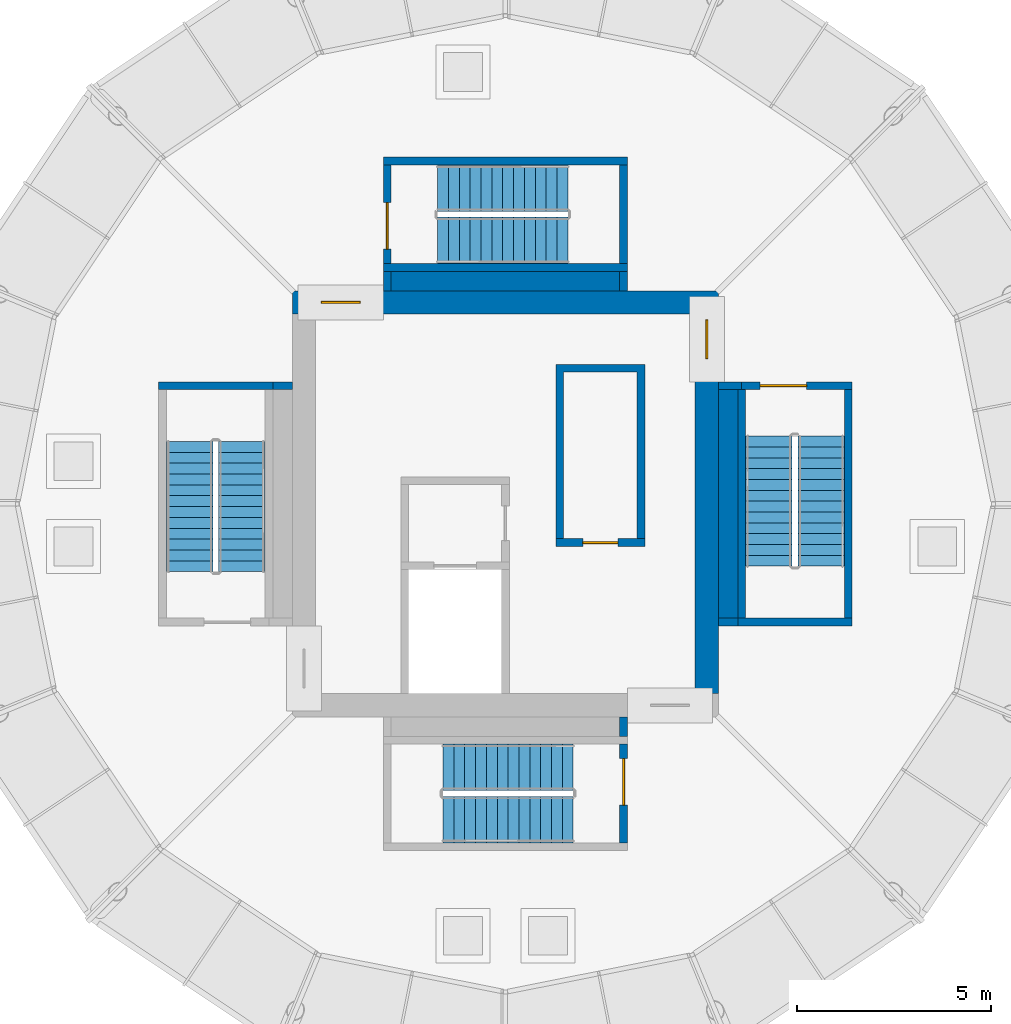
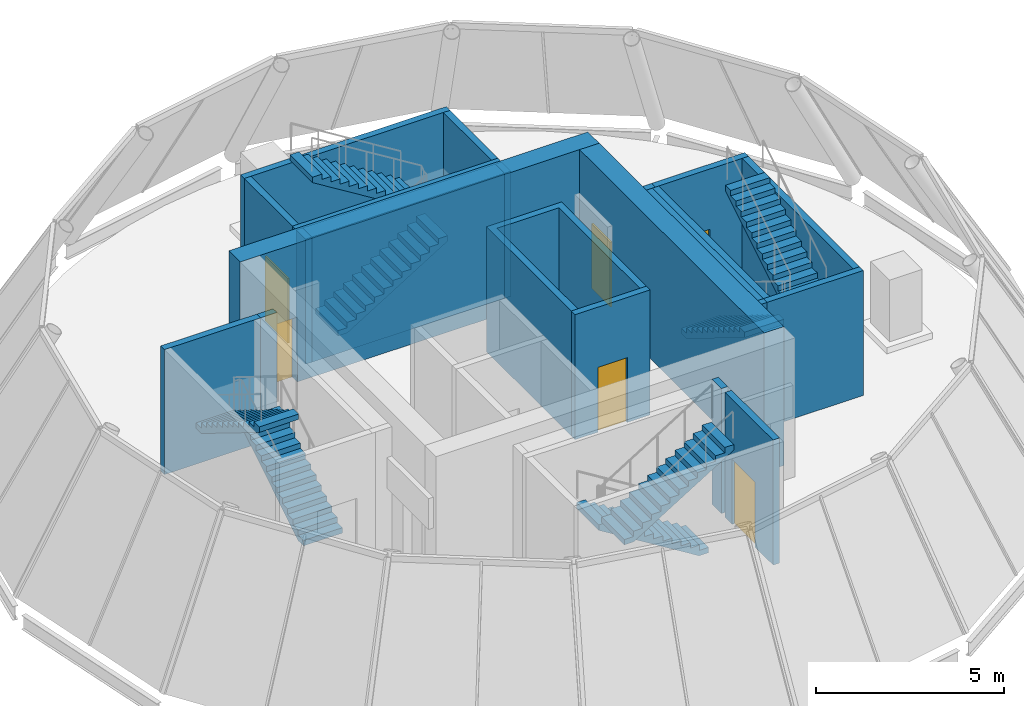
# One storey, part 4 of 6: 22 walls, 8 stair flights, 6 doors, 6 openings, 4 elements without a shape of their own.
"""IFC4 building model written with IfcOpenShell, lengths in metres."""

import ifcopenshell
import ifcopenshell.guid

model = None  # the IFC model being written
_history = None  # IfcOwnerHistory: only IFC2X3 demands one
_inside = {}  # id of a spatial element -> (the spatial element, [elements in it])
_under = {}  # id of a project, library or spatial element -> (it, [spatial elements below it])
_declared = {}  # id of a project -> (the project, [libraries it declares])
_typed = {}  # id of a type object -> (the type object, [elements of that type])
_made_of = {}  # id of a material, layer set ... -> (it, [elements and type objects made of it])


def new_model(schema):
    """Start an empty IFC model of exactly this schema.

    Asked for "IFC4X3", IfcOpenShell would pick the latest addendum, in which some entities
    have other attributes; the version numbers below select the first issue.
    IFC2X3 requires an IfcOwnerHistory on every rooted entity: one is made here for all.
    """
    global model, _history
    if schema == "IFC4X3":
        model = ifcopenshell.file(schema_version=(4, 3, 0, 0))
    else:
        model = ifcopenshell.file(schema=schema)
    _inside.clear()
    _under.clear()
    _declared.clear()
    _typed.clear()
    _made_of.clear()
    _history = None
    if model.schema == "IFC2X3":
        org = make("IfcOrganization", Name="unknown")
        user = make(
            "IfcPersonAndOrganization",
            ThePerson=make("IfcPerson", FamilyName="unknown"),
            TheOrganization=org,
        )
        app = make(
            "IfcApplication",
            ApplicationDeveloper=org,
            Version="unknown",
            ApplicationFullName="unknown",
            ApplicationIdentifier="unknown",
        )
        _history = make(
            "IfcOwnerHistory",
            OwningUser=user,
            OwningApplication=app,
            ChangeAction="ADDED",
            CreationDate=0,
        )
    return model


def make(cls, **values):
    """One entity of the class cls with the attributes given. An attribute that is None is left unset."""
    return model.create_entity(
        cls, **{name: value for name, value in values.items() if value is not None}
    )


def rooted(cls, **values):
    """An entity with a GlobalId (a new one), such as an element, a storey or a relation."""
    return make(cls, GlobalId=ifcopenshell.guid.new(), OwnerHistory=_history, **values)


def si_unit(unit_type, name, prefix=None):
    """IfcSIUnit, for example si_unit("LENGTHUNIT", "METRE", prefix="MILLI")."""
    return make("IfcSIUnit", UnitType=unit_type, Prefix=prefix, Name=name)


def assignment(units):
    """IfcUnitAssignment: the units of a project."""
    return None if units is None else make("IfcUnitAssignment", Units=units)


def point(xyz):
    """IfcCartesianPoint."""
    return None if xyz is None else make("IfcCartesianPoint", Coordinates=xyz)


def direction(xyz):
    """IfcDirection."""
    return None if xyz is None else make("IfcDirection", DirectionRatios=xyz)


def frame(location, z_axis=None, x_axis=None):
    """IfcAxis2Placement3D, a coordinate frame: its origin and axes. An axis left out is left unset."""
    return make(
        "IfcAxis2Placement3D",
        Location=point(location),
        Axis=direction(z_axis),
        RefDirection=direction(x_axis),
    )


def frame_2d(location, x_axis=None):
    """IfcAxis2Placement2D, a coordinate frame in the plane: its origin and x axis."""
    return make(
        "IfcAxis2Placement2D", Location=point(location), RefDirection=direction(x_axis)
    )


def origin():
    """The frame at (0, 0, 0) with its axes left unset."""
    return frame((0.0, 0.0, 0.0))


def place(relative_to, where):
    """IfcLocalPlacement: puts the frame where relative to a parent placement (None: the world)."""
    return make(
        "IfcLocalPlacement", PlacementRelTo=relative_to, RelativePlacement=where
    )


def context(
    kind, dimensions, precision=None, world=None, true_north=None, identifier=None
):
    """IfcGeometricRepresentationContext, for example the 3D "Model" context."""
    return make(
        "IfcGeometricRepresentationContext",
        ContextIdentifier=identifier,
        ContextType=kind,
        CoordinateSpaceDimension=dimensions,
        Precision=precision,
        WorldCoordinateSystem=world,
        TrueNorth=true_north,
    )


def subcontext(parent, identifier, kind, view, scale=None):
    """IfcGeometricRepresentationSubContext, for example "Body" below "Model"."""
    return make(
        "IfcGeometricRepresentationSubContext",
        ContextIdentifier=identifier,
        ContextType=kind,
        ParentContext=parent,
        TargetScale=scale,
        TargetView=view,
    )


def project(units=None, contexts=None):
    """IfcProject with its units and contexts."""
    return rooted(
        "IfcProject",
        Name="project",
        RepresentationContexts=contexts,
        UnitsInContext=assignment(units),
    )


def spatial(cls, under=None, at=None, **own):
    """A site, building, storey or space (cls), placed at a placement, below another one or the project."""
    s = rooted(cls, ObjectPlacement=at, **own)
    if under is not None:
        _under.setdefault(under.id(), (under, []))[1].append(s)
    return s


def polyline(points):
    """IfcPolyline through the points."""
    return make("IfcPolyline", Points=[point(p) for p in points])


def profile(cls, at=None, kind="AREA", **sizes):
    """A parametric profile (cls). Its sizes go by their IFC names, for example OverallWidth=200.0."""
    return make(cls, ProfileType=kind, Position=at, **sizes)


def rectangle(**sizes):
    """IfcRectangleProfileDef."""
    return profile("IfcRectangleProfileDef", **sizes)


def outline(outer, holes=None, kind="AREA"):
    """IfcArbitraryClosedProfileDef: a profile drawn as a closed curve; with holes, ...WithVoids."""
    if holes is None:
        return make("IfcArbitraryClosedProfileDef", ProfileType=kind, OuterCurve=outer)
    return make(
        "IfcArbitraryProfileDefWithVoids",
        ProfileType=kind,
        OuterCurve=outer,
        InnerCurves=holes,
    )


def extrude(swept, where, along, depth):
    """IfcExtrudedAreaSolid: the profile swept, set in the frame where, extruded along a direction by depth."""
    return make(
        "IfcExtrudedAreaSolid",
        SweptArea=swept,
        Position=where,
        ExtrudedDirection=direction(along),
        Depth=depth,
    )


def shape(context_of_items, identifier, shape_type, items):
    """IfcShapeRepresentation: the items that make up one representation, for example the "Body"."""
    return make(
        "IfcShapeRepresentation",
        ContextOfItems=context_of_items,
        RepresentationIdentifier=identifier,
        RepresentationType=shape_type,
        Items=items,
    )


def material(Name=None, Category=None):
    """IfcMaterial."""
    return make("IfcMaterial", Name=Name, Category=Category)


def layer(
    of_material, thickness, ventilated=None, Name=None, Category=None, Priority=None
):
    """IfcMaterialLayer: one layer of a wall or slab, of a material (None: an air gap)."""
    return make(
        "IfcMaterialLayer",
        Material=of_material,
        LayerThickness=thickness,
        IsVentilated=ventilated,
        Name=Name,
        Category=Category,
        Priority=Priority,
    )


def layer_set(layers, Name=None):
    """IfcMaterialLayerSet."""
    return make("IfcMaterialLayerSet", MaterialLayers=layers, LayerSetName=Name)


def made_of(thing, what):
    """Note that an element or type object is made of a material, layer set ...; save() writes the relation."""
    if what is not None:
        _made_of.setdefault(what.id(), (what, []))[1].append(thing)
    return thing


def type_object(cls, material=None, **own):
    """A type object (cls), such as IfcWallType, which elements share."""
    return made_of(rooted(cls, **own), material)


def element(
    cls,
    number,
    at=None,
    inside=None,
    cuts=None,
    type_object=None,
    material=None,
    context=None,
    identifier="Body",
    shape_type=None,
    held_by="IfcProductDefinitionShape",
    body=None,
    shapes=None,
    **own,
):
    """One element of the class cls, such as IfcWall. Its Tag is "e" and its number.

    at: its placement. inside: the storey or other place that contains it. cuts: it is an
    opening in that element (IfcRelVoidsElement). A single representation is given by context,
    identifier, shape_type and body (its items); several are given by shapes. held_by: the class
    of the entity that holds the representations. save() writes the other relations.
    """
    e = rooted(cls, Tag="e%d" % number, ObjectPlacement=at, **own)
    if body is not None:
        shapes = [shape(context, identifier, shape_type, body)]
    if shapes is not None:
        e.Representation = make(held_by, Representations=shapes)
    if inside is not None:
        _inside.setdefault(inside.id(), (inside, []))[1].append(e)
    if cuts is not None:
        rooted(
            "IfcRelVoidsElement", RelatingBuildingElement=cuts, RelatedOpeningElement=e
        )
    if type_object is not None:
        _typed.setdefault(type_object.id(), (type_object, []))[1].append(e)
    return made_of(e, material)


def fill(opening, filler):
    """IfcRelFillsElement: the door or window that sits in an opening."""
    return rooted(
        "IfcRelFillsElement",
        RelatingOpeningElement=opening,
        RelatedBuildingElement=filler,
    )


def aggregate(whole, parts):
    """IfcRelAggregates: a whole, such as a stair, and the parts it consists of."""
    return rooted("IfcRelAggregates", RelatingObject=whole, RelatedObjects=parts)


def save(model, path):
    """Write the relations noted so far, then the file.

    IfcRelAggregates (storeys below a building ...), IfcRelContainedInSpatialStructure (elements
    in a storey), IfcRelDefinesByType, IfcRelAssociatesMaterial and IfcRelDeclares: one each for
    every whole, place, type object, material and project.
    """
    for whole, parts in _under.values():
        aggregate(whole, parts)
    for where, things in _inside.values():
        rooted(
            "IfcRelContainedInSpatialStructure",
            RelatedElements=things,
            RelatingStructure=where,
        )
    for kind, things in _typed.values():
        rooted("IfcRelDefinesByType", RelatedObjects=things, RelatingType=kind)
    for what, things in _made_of.values():
        rooted("IfcRelAssociatesMaterial", RelatedObjects=things, RelatingMaterial=what)
    for by, libraries in _declared.values():
        rooted("IfcRelDeclares", RelatingContext=by, RelatedDefinitions=libraries)
    model.write(path)


model = new_model("IFC4")

# Units and contexts
model_context = context("Model", 3, precision=1e-05, world=origin(), true_north=direction((0.0, 1.0)))
body_context = subcontext(model_context, "Body", "Model", "MODEL_VIEW")
ifc_project = project(units=[si_unit("LENGTHUNIT", "METRE"), si_unit("AREAUNIT", "SQUARE_METRE"), si_unit("VOLUMEUNIT", "CUBIC_METRE"), si_unit("PLANEANGLEUNIT", "RADIAN"), si_unit("MASSUNIT", "GRAM", prefix="KILO")], contexts=[model_context])

# Site, building, storey
site_placement = place(None, origin())
site = spatial("IfcSite", under=ifc_project, at=site_placement, CompositionType="ELEMENT")
building_placement = place(site_placement, origin())
building = spatial("IfcBuilding", under=site, at=building_placement, Name="Corvane Civic Tower", CompositionType="ELEMENT")
storey_placement = place(building_placement, frame((0.0, 0.0, 397.5)))
storey = spatial("IfcBuildingStorey", under=building, at=storey_placement, Name="L94", CompositionType="ELEMENT", Elevation=397.5)

# Wall, opening, door
ifc_material_1 = material(Name="Concrete C40/50", Category="concrete")
ifc_layer_1 = layer(ifc_material_1, 0.60009765625)
ifc_layer_set_1 = layer_set([ifc_layer_1], Name="Concrete C40/50")
wall_type_1 = type_object("IfcWallType", Name="CORE WALL 600 C40/50", PredefinedType="SHEAR", material=ifc_layer_set_1)
wall_1_placement = place(storey_placement, frame((-5.5, 5.199951171875, 0.0), z_axis=(0.0, 0.0, 1.0), x_axis=(1.0, 0.0, 0.0)))
wall_1 = element("IfcWall", 1, at=wall_1_placement, inside=storey, type_object=wall_type_1, Name="W-L94-core-N", PredefinedType="SHEAR", context=body_context, shape_type="SweptSolid", body=[
    extrude(rectangle(XDim=11.0, YDim=0.60009765625, at=frame_2d((5.5, 0.0))), origin(), (0.0, 0.0, 1.0), 4.5),
])
opening_1_placement = place(wall_1_placement, frame((0.75, 0.0, 0.0)))
opening_1 = element("IfcOpeningElement", 2, at=opening_1_placement, cuts=wall_1, Name="Opening L94.C08", PredefinedType="OPENING", context=body_context, shape_type="SweptSolid", body=[
    extrude(rectangle(XDim=1.0, YDim=2.10009765625, at=frame_2d((0.5, 1.050048828125))), frame((0.0, 0.31005859375, 0.0), z_axis=(0.0, -1.0, 0.0), x_axis=(1.0, 0.0, 0.0)), (0.0, 0.0, 1.0), 0.6201171875),
])
ifc_material_2 = material(Name="Steel fire door leaf", Category="steel")
door_type_1 = type_object("IfcDoorType", Name="CR-DOOR-CORE-1800", OperationType="DOUBLE_DOOR_SINGLE_SWING", PredefinedType="DOOR", material=ifc_material_2)
door_1_placement = place(opening_1_placement, origin())
door_1 = element("IfcDoor", 3, at=door_1_placement, inside=storey, type_object=door_type_1, Name="L94 door", OperationType="DOUBLE_DOOR_SINGLE_SWING", OverallHeight=2.10009765625, OverallWidth=1.0, PredefinedType="DOOR", context=body_context, shape_type="SweptSolid", body=[
    extrude(rectangle(XDim=1.0, YDim=2.10009765625, at=frame_2d((0.5, 1.050048828125))), frame((0.0, 0.02490234375, 0.0), z_axis=(0.0, -1.0, 0.0), x_axis=(1.0, 0.0, 0.0)), (0.0, 0.0, 1.0), 0.050048828125),
])
fill(opening_1, door_1)

wall_2_placement = place(storey_placement, frame((5.199951171875, -4.89990234375, 0.0), z_axis=(0.0, 0.0, 1.0), x_axis=(0.0, 1.0, 0.0)))
wall_2 = element("IfcWall", 4, at=wall_2_placement, inside=storey, type_object=wall_type_1, Name="W-L94-core-E", PredefinedType="SHEAR", context=body_context, shape_type="SweptSolid", body=[
    extrude(rectangle(XDim=9.7998046875, YDim=0.60009765625, at=frame_2d((4.89990234375, 0.0))), origin(), (0.0, 0.0, 1.0), 4.5),
])
opening_2_placement = place(wall_2_placement, frame((8.64990234375, 0.0, 0.0)))
opening_2 = element("IfcOpeningElement", 5, at=opening_2_placement, cuts=wall_2, Name="Opening L94.C07", PredefinedType="OPENING", context=body_context, shape_type="SweptSolid", body=[
    extrude(rectangle(XDim=1.0, YDim=2.10009765625, at=frame_2d((0.5, 1.050048828125))), frame((0.0, 0.31005859375, 0.0), z_axis=(0.0, -1.0, 0.0), x_axis=(1.0, 0.0, 0.0)), (0.0, 0.0, 1.0), 0.6201171875),
])
door_2_placement = place(opening_2_placement, origin())
door_2 = element("IfcDoor", 6, at=door_2_placement, inside=storey, type_object=door_type_1, Name="L94 door", OperationType="DOUBLE_DOOR_SINGLE_SWING", OverallHeight=2.10009765625, OverallWidth=1.0, PredefinedType="DOOR", context=body_context, shape_type="SweptSolid", body=[
    extrude(rectangle(XDim=1.0, YDim=2.10009765625, at=frame_2d((0.5, 1.050048828125))), frame((0.0, 0.02490234375, 0.0), z_axis=(0.0, -1.0, 0.0), x_axis=(1.0, 0.0, 0.0)), (0.0, 0.0, 1.0), 0.050048828125),
])
fill(opening_2, door_2)

ifc_material_3 = material(Name="Concrete C30/37", Category="concrete")
ifc_layer_2 = layer(ifc_material_3, 0.199951171875)
ifc_layer_set_2 = layer_set([ifc_layer_2], Name="Concrete C30/37")
wall_type_2 = type_object("IfcWallType", Name="CR-WALL-200", PredefinedType="PARTITIONING", material=ifc_layer_set_2)
wall_3_placement = place(storey_placement, frame((1.300048828125, -1.0, 0.0), z_axis=(0.0, 0.0, 1.0), x_axis=(1.0, 0.0, 0.0)))
wall_3 = element("IfcWall", 7, at=wall_3_placement, inside=storey, type_object=wall_type_2, Name="L94 core partition wall", PredefinedType="PARTITIONING", context=body_context, shape_type="SweptSolid", body=[
    extrude(rectangle(XDim=2.300048828125, YDim=0.199951171875, at=frame_2d((1.14990234375, 0.0))), origin(), (0.0, 0.0, 1.0), 4.050048828125),
])
opening_3_placement = place(wall_3_placement, frame((0.699951171875, 0.0, 0.0)))
opening_3 = element("IfcOpeningElement", 8, at=opening_3_placement, cuts=wall_3, Name="Opening L94.C02", PredefinedType="OPENING", context=body_context, shape_type="SweptSolid", body=[
    extrude(rectangle(XDim=0.89990234375, YDim=2.10009765625, at=frame_2d((0.449951171875, 1.050048828125))), frame((0.0, 0.10986328125, 0.0), z_axis=(0.0, -1.0, 0.0), x_axis=(1.0, 0.0, 0.0)), (0.0, 0.0, 1.0), 0.219970703125),
])
ifc_material_4 = material(Name="Steel fire door leaf", Category="steel")
door_type_2 = type_object("IfcDoorType", Name="CR-DOOR-900", OperationType="SINGLE_SWING_LEFT", PredefinedType="DOOR", material=ifc_material_4)
door_3_placement = place(opening_3_placement, origin())
door_3 = element("IfcDoor", 9, at=door_3_placement, inside=storey, type_object=door_type_2, Name="L94 door", OperationType="SINGLE_SWING_LEFT", OverallHeight=2.10009765625, OverallWidth=0.89990234375, PredefinedType="DOOR", context=body_context, shape_type="SweptSolid", body=[
    extrude(rectangle(XDim=0.89990234375, YDim=2.10009765625, at=frame_2d((0.449951171875, 1.050048828125))), frame((0.0, 0.02490234375, 0.0), z_axis=(0.0, -1.0, 0.0), x_axis=(1.0, 0.0, 0.0)), (0.0, 0.0, 1.0), 0.050048828125),
])
fill(opening_3, door_3)

# Wall
wall_4_placement = place(storey_placement, origin())
element("IfcWall", 10, at=wall_4_placement, inside=storey, type_object=wall_type_2, Name="L94 core partition wall", PredefinedType="PARTITIONING", context=body_context, shape_type="SweptSolid", body=[
    extrude(outline(polyline([(1.300048828125, -0.89990234375), (1.300048828125, 3.60009765625), (3.60009765625, 3.60009765625), (3.60009765625, -0.89990234375), (3.39990234375, -0.89990234375), (3.39990234375, 3.39990234375), (1.5, 3.39990234375), (1.5, -0.89990234375), (1.300048828125, -0.89990234375)])), origin(), (0.0, 0.0, 1.0), 4.050048828125),
])

# Wall, opening, door
ifc_material_5 = material(Name="Concrete C50/60", Category="concrete")
ifc_layer_3 = layer(ifc_material_5, 0.199951171875)
ifc_layer_set_3 = layer_set([ifc_layer_3], Name="Concrete C50/60")
wall_type_3 = type_object("IfcWallType", Name="ST-WALL-200", PredefinedType="SHEAR", material=ifc_layer_set_3)
wall_5_placement = place(storey_placement, frame((6.0, 3.050048828125, 0.0), z_axis=(0.0, 0.0, 1.0), x_axis=(1.0, 0.0, 0.0)))
wall_5 = element("IfcWall", 11, at=wall_5_placement, inside=storey, type_object=wall_type_3, Name="L94 stair enclosure wall", PredefinedType="SHEAR", context=body_context, shape_type="SweptSolid", body=[
    extrude(rectangle(XDim=2.949951171875, YDim=0.199951171875, at=frame_2d((1.47509765625, 0.0))), origin(), (0.0, 0.0, 1.0), 4.050048828125),
])
opening_4_placement = place(wall_5_placement, frame((0.574951171875, 0.0, 0.0)))
opening_4 = element("IfcOpeningElement", 12, at=opening_4_placement, cuts=wall_5, Name="Opening L94.C03", PredefinedType="OPENING", context=body_context, shape_type="SweptSolid", body=[
    extrude(rectangle(XDim=1.199951171875, YDim=2.10009765625, at=frame_2d((0.60009765625, 1.050048828125))), frame((0.0, 0.10986328125, 0.0), z_axis=(0.0, -1.0, 0.0), x_axis=(1.0, 0.0, 0.0)), (0.0, 0.0, 1.0), 0.219970703125),
])
ifc_material_6 = material(Name="Steel fire door leaf", Category="steel")
door_type_3 = type_object("IfcDoorType", Name="ST-DOOR-1200", OperationType="SINGLE_SWING_RIGHT", PredefinedType="DOOR", material=ifc_material_6)
door_4_placement = place(opening_4_placement, origin())
door_4 = element("IfcDoor", 13, at=door_4_placement, inside=storey, type_object=door_type_3, Name="L94 stair door", OperationType="SINGLE_SWING_RIGHT", OverallHeight=2.10009765625, OverallWidth=1.199951171875, PredefinedType="DOOR", context=body_context, shape_type="SweptSolid", body=[
    extrude(rectangle(XDim=1.199951171875, YDim=2.10009765625, at=frame_2d((0.60009765625, 1.050048828125))), frame((0.0, 0.02490234375, 0.0), z_axis=(0.0, -1.0, 0.0), x_axis=(1.0, 0.0, 0.0)), (0.0, 0.0, 1.0), 0.050048828125),
])
fill(opening_4, door_4)

wall_6_placement = place(storey_placement, frame((-3.050048828125, 6.199951171875, 0.0), z_axis=(0.0, 0.0, 1.0), x_axis=(0.0, 1.0, 0.0)))
wall_6 = element("IfcWall", 14, at=wall_6_placement, inside=storey, type_object=wall_type_3, Name="L94 stair enclosure wall", PredefinedType="SHEAR", context=body_context, shape_type="SweptSolid", body=[
    extrude(rectangle(XDim=2.550048828125, YDim=0.199951171875, at=frame_2d((1.27490234375, 0.0))), origin(), (0.0, 0.0, 1.0), 4.050048828125),
])
opening_5_placement = place(wall_6_placement, frame((0.375, 0.0, 0.0)))
opening_5 = element("IfcOpeningElement", 15, at=opening_5_placement, cuts=wall_6, Name="Opening L94.C04", PredefinedType="OPENING", context=body_context, shape_type="SweptSolid", body=[
    extrude(rectangle(XDim=1.199951171875, YDim=2.10009765625, at=frame_2d((0.60009765625, 1.050048828125))), frame((0.0, 0.10986328125, 0.0), z_axis=(0.0, -1.0, 0.0), x_axis=(1.0, 0.0, 0.0)), (0.0, 0.0, 1.0), 0.219970703125),
])
door_5_placement = place(opening_5_placement, origin())
door_5 = element("IfcDoor", 16, at=door_5_placement, inside=storey, type_object=door_type_3, Name="L94 stair door", OperationType="SINGLE_SWING_RIGHT", OverallHeight=2.10009765625, OverallWidth=1.199951171875, PredefinedType="DOOR", context=body_context, shape_type="SweptSolid", body=[
    extrude(rectangle(XDim=1.199951171875, YDim=2.10009765625, at=frame_2d((0.60009765625, 1.050048828125))), frame((0.0, 0.02490234375, 0.0), z_axis=(0.0, -1.0, 0.0), x_axis=(1.0, 0.0, 0.0)), (0.0, 0.0, 1.0), 0.050048828125),
])
fill(opening_5, door_5)

wall_7_placement = place(storey_placement, frame((3.050048828125, -8.75, 0.0), z_axis=(0.0, 0.0, 1.0), x_axis=(0.0, 1.0, 0.0)))
wall_7 = element("IfcWall", 17, at=wall_7_placement, inside=storey, type_object=wall_type_3, Name="L94 stair enclosure wall", PredefinedType="SHEAR", context=body_context, shape_type="SweptSolid", body=[
    extrude(rectangle(XDim=2.550048828125, YDim=0.199951171875, at=frame_2d((1.27490234375, 0.0))), origin(), (0.0, 0.0, 1.0), 4.050048828125),
])
opening_6_placement = place(wall_7_placement, frame((0.97509765625, 0.0, 0.0)))
opening_6 = element("IfcOpeningElement", 18, at=opening_6_placement, cuts=wall_7, Name="Opening L94.C06", PredefinedType="OPENING", context=body_context, shape_type="SweptSolid", body=[
    extrude(rectangle(XDim=1.199951171875, YDim=2.10009765625, at=frame_2d((0.60009765625, 1.050048828125))), frame((0.0, 0.10986328125, 0.0), z_axis=(0.0, -1.0, 0.0), x_axis=(1.0, 0.0, 0.0)), (0.0, 0.0, 1.0), 0.219970703125),
])
door_6_placement = place(opening_6_placement, origin())
door_6 = element("IfcDoor", 19, at=door_6_placement, inside=storey, type_object=door_type_3, Name="L94 stair door", OperationType="SINGLE_SWING_RIGHT", OverallHeight=2.10009765625, OverallWidth=1.199951171875, PredefinedType="DOOR", context=body_context, shape_type="SweptSolid", body=[
    extrude(rectangle(XDim=1.199951171875, YDim=2.10009765625, at=frame_2d((0.60009765625, 1.050048828125))), frame((0.0, 0.02490234375, 0.0), z_axis=(0.0, -1.0, 0.0), x_axis=(1.0, 0.0, 0.0)), (0.0, 0.0, 1.0), 0.050048828125),
])
fill(opening_6, door_6)

# Walls
wall_8_placement = place(storey_placement, origin())
element("IfcWall", 20, at=wall_8_placement, inside=storey, type_object=wall_type_3, Name="L94 stair enclosure wall", PredefinedType="SHEAR", context=body_context, shape_type="SweptSolid", body=[
    extrude(outline(polyline([(6.0, -2.949951171875), (6.0, 2.949951171875), (5.5, 2.949951171875), (5.5, -2.949951171875), (6.0, -2.949951171875)])), origin(), (0.0, 0.0, 1.0), 4.050048828125),
])
wall_9_placement = place(storey_placement, origin())
element("IfcWall", 21, at=wall_9_placement, inside=storey, type_object=wall_type_3, Name="L94 stair enclosure wall", PredefinedType="SHEAR", context=body_context, shape_type="SweptSolid", body=[
    extrude(outline(polyline([(2.949951171875, 5.5), (2.949951171875, 6.0), (-2.949951171875, 6.0), (-2.949951171875, 5.5), (2.949951171875, 5.5)])), origin(), (0.0, 0.0, 1.0), 4.050048828125),
])
wall_10_placement = place(storey_placement, origin())
element("IfcWall", 22, at=wall_10_placement, inside=storey, type_object=wall_type_3, Name="L94 stair enclosure wall", PredefinedType="SHEAR", context=body_context, shape_type="SweptSolid", body=[
    extrude(outline(polyline([(3.14990234375, 6.0), (-3.14990234375, 6.0), (-3.14990234375, 6.199951171875), (3.14990234375, 6.199951171875), (3.14990234375, 6.0)])), origin(), (0.0, 0.0, 1.0), 4.050048828125),
])
wall_11_placement = place(storey_placement, origin())
element("IfcWall", 23, at=wall_11_placement, inside=storey, type_object=wall_type_3, Name="L94 stair enclosure wall", PredefinedType="SHEAR", context=body_context, shape_type="SweptSolid", body=[
    extrude(outline(polyline([(3.14990234375, 8.75), (-3.14990234375, 8.75), (-3.14990234375, 8.949951171875), (3.14990234375, 8.949951171875), (3.14990234375, 8.75)])), origin(), (0.0, 0.0, 1.0), 4.050048828125),
])
wall_12_placement = place(storey_placement, origin())
element("IfcWall", 24, at=wall_12_placement, inside=storey, type_object=wall_type_3, Name="L94 stair enclosure wall", PredefinedType="SHEAR", context=body_context, shape_type="SweptSolid", body=[
    extrude(outline(polyline([(6.199951171875, 2.949951171875), (6.199951171875, -2.949951171875), (6.0, -2.949951171875), (6.0, 2.949951171875), (6.199951171875, 2.949951171875)])), origin(), (0.0, 0.0, 1.0), 4.050048828125),
])
wall_13_placement = place(storey_placement, origin())
element("IfcWall", 25, at=wall_13_placement, inside=storey, type_object=wall_type_3, Name="L94 stair enclosure wall", PredefinedType="SHEAR", context=body_context, shape_type="SweptSolid", body=[
    extrude(outline(polyline([(8.949951171875, 2.949951171875), (8.949951171875, -2.949951171875), (8.75, -2.949951171875), (8.75, 2.949951171875), (8.949951171875, 2.949951171875)])), origin(), (0.0, 0.0, 1.0), 4.050048828125),
])
wall_14_placement = place(storey_placement, origin())
element("IfcWall", 26, at=wall_14_placement, inside=storey, type_object=wall_type_3, Name="L94 stair enclosure wall", PredefinedType="SHEAR", context=body_context, shape_type="SweptSolid", body=[
    extrude(outline(polyline([(-6.0, 2.9501953125), (-6.2001953125, 2.949951171875), (-8.949951171875, 2.9501953125), (-8.949951171875, 3.14990234375), (-6.0, 3.14990234375), (-6.0, 2.9501953125)])), origin(), (0.0, 0.0, 1.0), 4.050048828125),
])
wall_15_placement = place(storey_placement, origin())
element("IfcWall", 27, at=wall_15_placement, inside=storey, type_object=wall_type_3, Name="L94 stair enclosure wall", PredefinedType="SHEAR", context=body_context, shape_type="SweptSolid", body=[
    extrude(outline(polyline([(8.949951171875, -3.14990234375), (6.0, -3.14990234375), (6.0, -2.9501953125), (6.2001953125, -2.949951171875), (8.949951171875, -2.9501953125), (8.949951171875, -3.14990234375)])), origin(), (0.0, 0.0, 1.0), 4.050048828125),
])
wall_16_placement = place(storey_placement, origin())
element("IfcWall", 28, at=wall_16_placement, inside=storey, type_object=wall_type_3, Name="L94 stair enclosure wall", PredefinedType="SHEAR", context=body_context, shape_type="SweptSolid", body=[
    extrude(outline(polyline([(3.14990234375, 6.2001953125), (2.949951171875, 6.2001953125), (2.949951171875, 8.75), (3.14990234375, 8.75), (3.14990234375, 6.2001953125)])), origin(), (0.0, 0.0, 1.0), 4.050048828125),
])
wall_17_placement = place(storey_placement, origin())
element("IfcWall", 29, at=wall_17_placement, inside=storey, type_object=wall_type_3, Name="L94 stair enclosure wall", PredefinedType="SHEAR", context=body_context, shape_type="SweptSolid", body=[
    extrude(outline(polyline([(-5.5, 2.949951171875), (-6.0, 2.949951171875), (-6.0, 3.14990234375), (-5.5, 3.14990234375), (-5.5, 2.949951171875)])), origin(), (0.0, 0.0, 1.0), 4.050048828125),
])
wall_18_placement = place(storey_placement, origin())
element("IfcWall", 30, at=wall_18_placement, inside=storey, type_object=wall_type_3, Name="L94 stair enclosure wall", PredefinedType="SHEAR", context=body_context, shape_type="SweptSolid", body=[
    extrude(outline(polyline([(-2.949951171875, 5.5), (-3.14990234375, 5.5), (-3.14990234375, 6.0), (-2.949951171875, 6.0), (-2.949951171875, 5.5)])), origin(), (0.0, 0.0, 1.0), 4.050048828125),
])
wall_19_placement = place(storey_placement, origin())
element("IfcWall", 31, at=wall_19_placement, inside=storey, type_object=wall_type_3, Name="L94 stair enclosure wall", PredefinedType="SHEAR", context=body_context, shape_type="SweptSolid", body=[
    extrude(outline(polyline([(3.14990234375, -5.5), (3.14990234375, -6.0), (2.949951171875, -6.0), (2.949951171875, -5.5), (3.14990234375, -5.5)])), origin(), (0.0, 0.0, 1.0), 4.050048828125),
])
wall_20_placement = place(storey_placement, origin())
element("IfcWall", 32, at=wall_20_placement, inside=storey, type_object=wall_type_3, Name="L94 stair enclosure wall", PredefinedType="SHEAR", context=body_context, shape_type="SweptSolid", body=[
    extrude(outline(polyline([(3.14990234375, 5.5), (2.949951171875, 5.5), (2.949951171875, 6.0), (3.14990234375, 6.0), (3.14990234375, 5.5)])), origin(), (0.0, 0.0, 1.0), 4.050048828125),
])
wall_21_placement = place(storey_placement, origin())
element("IfcWall", 33, at=wall_21_placement, inside=storey, type_object=wall_type_3, Name="L94 stair enclosure wall", PredefinedType="SHEAR", context=body_context, shape_type="SweptSolid", body=[
    extrude(outline(polyline([(5.5, -3.14990234375), (5.5, -2.949951171875), (6.0, -2.949951171875), (6.0, -3.14990234375), (5.5, -3.14990234375)])), origin(), (0.0, 0.0, 1.0), 4.050048828125),
])
wall_22_placement = place(storey_placement, origin())
element("IfcWall", 34, at=wall_22_placement, inside=storey, type_object=wall_type_3, Name="L94 stair enclosure wall", PredefinedType="SHEAR", context=body_context, shape_type="SweptSolid", body=[
    extrude(outline(polyline([(6.10009765625, 2.9501953125), (5.5, 2.949951171875), (5.5, 3.14990234375), (6.10009765625, 3.14990234375), (6.10009765625, 2.9501953125)])), origin(), (0.0, 0.0, 1.0), 4.050048828125),
])

# Stair, stair flights
ifc_material_7 = material(Name="Concrete C40/50", Category="concrete")
stair_type = type_object("IfcStairType", Name="ST-STAIR-HALFTURN", PredefinedType="HALF_TURN_STAIR", material=ifc_material_7)
stair_1_placement = place(storey_placement, origin())
stair_1 = element("IfcStair", 35, at=stair_1_placement, inside=storey, type_object=stair_type, Name="L94 Crown stair CS1", PredefinedType="HALF_TURN_STAIR")
ifc_material_8 = material(Name="Concrete C40/50", Category="concrete")
stair_flight_type = type_object("IfcStairFlightType", Name="ST-FLIGHT-RC", PredefinedType="STRAIGHT", material=ifc_material_8)
stair_flight_1_placement = place(storey_placement, frame((6.800048828125, 1.75, 0.0), z_axis=(0.0, 0.0, 1.0), x_axis=(0.0, -1.0, 0.0)))
stair_flight_1 = element("IfcStairFlight", 36, at=stair_flight_1_placement, type_object=stair_flight_type, Name="CS1 flight 1", NumberOfRisers=13, NumberOfTreads=12, PredefinedType="STRAIGHT", RiserHeight=0.173076923, TreadLength=0.28, context=body_context, shape_type="SweptSolid", body=[
    extrude(outline(polyline([(0.0, 0.0), (0.0, 0.173095703125), (0.280029296875, 0.173095703125), (0.280029296875, 0.34619140625), (0.56005859375, 0.34619140625), (0.56005859375, 0.519287109375), (0.840087890625, 0.519287109375), (0.840087890625, 0.6923828125), (1.1201171875, 0.6923828125), (1.1201171875, 0.865478515625), (1.39990234375, 0.865478515625), (1.39990234375, 1.03857421875), (1.679931640625, 1.03857421875), (1.679931640625, 1.21142578125), (1.9599609375, 1.21142578125), (1.9599609375, 1.384521484375), (2.239990234375, 1.384521484375), (2.239990234375, 1.5576171875), (2.52001953125, 1.5576171875), (2.52001953125, 1.730712890625), (2.800048828125, 1.730712890625), (2.800048828125, 1.90380859375), (3.080078125, 1.90380859375), (3.080078125, 2.076904296875), (3.360107421875, 2.076904296875), (3.360107421875, 2.25), (3.360107421875, 1.900634765625), (0.28515625, 0.0), (0.0, 0.0)])), frame((0.0, 0.60009765625, 0.0), z_axis=(0.0, -1.0, 0.0), x_axis=(1.0, 0.0, 0.0)), (0.0, 0.0, 1.0), 1.199951171875),
])
stair_flight_2_placement = place(storey_placement, frame((8.14990234375, -1.610107421875, 2.25), z_axis=(0.0, 0.0, 1.0), x_axis=(0.0, 1.0, 0.0)))
stair_flight_2 = element("IfcStairFlight", 37, at=stair_flight_2_placement, type_object=stair_flight_type, Name="CS1 flight 2", NumberOfRisers=13, NumberOfTreads=12, PredefinedType="STRAIGHT", RiserHeight=0.173076923, TreadLength=0.28, context=body_context, shape_type="SweptSolid", body=[
    extrude(outline(polyline([(0.0, 0.0), (0.0, 0.173095703125), (0.280029296875, 0.173095703125), (0.280029296875, 0.34619140625), (0.56005859375, 0.34619140625), (0.56005859375, 0.519287109375), (0.840087890625, 0.519287109375), (0.840087890625, 0.6923828125), (1.1201171875, 0.6923828125), (1.1201171875, 0.865478515625), (1.39990234375, 0.865478515625), (1.39990234375, 1.03857421875), (1.679931640625, 1.03857421875), (1.679931640625, 1.21142578125), (1.9599609375, 1.21142578125), (1.9599609375, 1.384521484375), (2.239990234375, 1.384521484375), (2.239990234375, 1.5576171875), (2.52001953125, 1.5576171875), (2.52001953125, 1.730712890625), (2.800048828125, 1.730712890625), (2.800048828125, 1.90380859375), (3.080078125, 1.90380859375), (3.080078125, 2.076904296875), (3.360107421875, 2.076904296875), (3.360107421875, 2.25), (3.360107421875, 1.900634765625), (0.28515625, 0.0), (0.0, 0.0)])), frame((0.0, 0.60009765625, 0.0), z_axis=(0.0, -1.0, 0.0), x_axis=(1.0, 0.0, 0.0)), (0.0, 0.0, 1.0), 1.199951171875),
])
aggregate(stair_1, [stair_flight_1, stair_flight_2])

stair_2_placement = place(storey_placement, origin())
stair_2 = element("IfcStair", 38, at=stair_2_placement, inside=storey, type_object=stair_type, Name="L94 Crown stair CS2", PredefinedType="HALF_TURN_STAIR")
stair_flight_3_placement = place(storey_placement, frame((-1.75, 6.800048828125, 0.0), z_axis=(0.0, 0.0, 1.0), x_axis=(1.0, 0.0, 0.0)))
stair_flight_3 = element("IfcStairFlight", 39, at=stair_flight_3_placement, type_object=stair_flight_type, Name="CS2 flight 1", NumberOfRisers=13, NumberOfTreads=12, PredefinedType="STRAIGHT", RiserHeight=0.173076923, TreadLength=0.28, context=body_context, shape_type="SweptSolid", body=[
    extrude(outline(polyline([(0.0, 0.0), (0.0, 0.173095703125), (0.280029296875, 0.173095703125), (0.280029296875, 0.34619140625), (0.56005859375, 0.34619140625), (0.56005859375, 0.519287109375), (0.840087890625, 0.519287109375), (0.840087890625, 0.6923828125), (1.1201171875, 0.6923828125), (1.1201171875, 0.865478515625), (1.39990234375, 0.865478515625), (1.39990234375, 1.03857421875), (1.679931640625, 1.03857421875), (1.679931640625, 1.21142578125), (1.9599609375, 1.21142578125), (1.9599609375, 1.384521484375), (2.239990234375, 1.384521484375), (2.239990234375, 1.5576171875), (2.52001953125, 1.5576171875), (2.52001953125, 1.730712890625), (2.800048828125, 1.730712890625), (2.800048828125, 1.90380859375), (3.080078125, 1.90380859375), (3.080078125, 2.076904296875), (3.360107421875, 2.076904296875), (3.360107421875, 2.25), (3.360107421875, 1.900634765625), (0.28515625, 0.0), (0.0, 0.0)])), frame((0.0, 0.60009765625, 0.0), z_axis=(0.0, -1.0, 0.0), x_axis=(1.0, 0.0, 0.0)), (0.0, 0.0, 1.0), 1.199951171875),
])
stair_flight_4_placement = place(storey_placement, frame((1.610107421875, 8.14990234375, 2.25), z_axis=(0.0, 0.0, 1.0), x_axis=(-1.0, 0.0, 0.0)))
stair_flight_4 = element("IfcStairFlight", 40, at=stair_flight_4_placement, type_object=stair_flight_type, Name="CS2 flight 2", NumberOfRisers=13, NumberOfTreads=12, PredefinedType="STRAIGHT", RiserHeight=0.173076923, TreadLength=0.28, context=body_context, shape_type="SweptSolid", body=[
    extrude(outline(polyline([(0.0, 0.0), (0.0, 0.173095703125), (0.280029296875, 0.173095703125), (0.280029296875, 0.34619140625), (0.56005859375, 0.34619140625), (0.56005859375, 0.519287109375), (0.840087890625, 0.519287109375), (0.840087890625, 0.6923828125), (1.1201171875, 0.6923828125), (1.1201171875, 0.865478515625), (1.39990234375, 0.865478515625), (1.39990234375, 1.03857421875), (1.679931640625, 1.03857421875), (1.679931640625, 1.21142578125), (1.9599609375, 1.21142578125), (1.9599609375, 1.384521484375), (2.239990234375, 1.384521484375), (2.239990234375, 1.5576171875), (2.52001953125, 1.5576171875), (2.52001953125, 1.730712890625), (2.800048828125, 1.730712890625), (2.800048828125, 1.90380859375), (3.080078125, 1.90380859375), (3.080078125, 2.076904296875), (3.360107421875, 2.076904296875), (3.360107421875, 2.25), (3.360107421875, 1.900634765625), (0.28515625, 0.0), (0.0, 0.0)])), frame((0.0, 0.60009765625, 0.0), z_axis=(0.0, -1.0, 0.0), x_axis=(1.0, 0.0, 0.0)), (0.0, 0.0, 1.0), 1.199951171875),
])
aggregate(stair_2, [stair_flight_3, stair_flight_4])

stair_3_placement = place(storey_placement, origin())
stair_3 = element("IfcStair", 41, at=stair_3_placement, inside=storey, type_object=stair_type, Name="L94 Crown stair CS3", PredefinedType="HALF_TURN_STAIR")
stair_flight_5_placement = place(storey_placement, frame((-6.800048828125, -1.75, 0.0), z_axis=(0.0, 0.0, 1.0), x_axis=(0.0, 1.0, 0.0)))
stair_flight_5 = element("IfcStairFlight", 42, at=stair_flight_5_placement, type_object=stair_flight_type, Name="CS3 flight 1", NumberOfRisers=13, NumberOfTreads=12, PredefinedType="STRAIGHT", RiserHeight=0.173076923, TreadLength=0.28, context=body_context, shape_type="SweptSolid", body=[
    extrude(outline(polyline([(0.0, 0.0), (0.0, 0.173095703125), (0.280029296875, 0.173095703125), (0.280029296875, 0.34619140625), (0.56005859375, 0.34619140625), (0.56005859375, 0.519287109375), (0.840087890625, 0.519287109375), (0.840087890625, 0.6923828125), (1.1201171875, 0.6923828125), (1.1201171875, 0.865478515625), (1.39990234375, 0.865478515625), (1.39990234375, 1.03857421875), (1.679931640625, 1.03857421875), (1.679931640625, 1.21142578125), (1.9599609375, 1.21142578125), (1.9599609375, 1.384521484375), (2.239990234375, 1.384521484375), (2.239990234375, 1.5576171875), (2.52001953125, 1.5576171875), (2.52001953125, 1.730712890625), (2.800048828125, 1.730712890625), (2.800048828125, 1.90380859375), (3.080078125, 1.90380859375), (3.080078125, 2.076904296875), (3.360107421875, 2.076904296875), (3.360107421875, 2.25), (3.360107421875, 1.900634765625), (0.28515625, 0.0), (0.0, 0.0)])), frame((0.0, 0.60009765625, 0.0), z_axis=(0.0, -1.0, 0.0), x_axis=(1.0, 0.0, 0.0)), (0.0, 0.0, 1.0), 1.199951171875),
])
stair_flight_6_placement = place(storey_placement, frame((-8.14990234375, 1.610107421875, 2.25), z_axis=(0.0, 0.0, 1.0), x_axis=(0.0, -1.0, 0.0)))
stair_flight_6 = element("IfcStairFlight", 43, at=stair_flight_6_placement, type_object=stair_flight_type, Name="CS3 flight 2", NumberOfRisers=13, NumberOfTreads=12, PredefinedType="STRAIGHT", RiserHeight=0.173076923, TreadLength=0.28, context=body_context, shape_type="SweptSolid", body=[
    extrude(outline(polyline([(0.0, 0.0), (0.0, 0.173095703125), (0.280029296875, 0.173095703125), (0.280029296875, 0.34619140625), (0.56005859375, 0.34619140625), (0.56005859375, 0.519287109375), (0.840087890625, 0.519287109375), (0.840087890625, 0.6923828125), (1.1201171875, 0.6923828125), (1.1201171875, 0.865478515625), (1.39990234375, 0.865478515625), (1.39990234375, 1.03857421875), (1.679931640625, 1.03857421875), (1.679931640625, 1.21142578125), (1.9599609375, 1.21142578125), (1.9599609375, 1.384521484375), (2.239990234375, 1.384521484375), (2.239990234375, 1.5576171875), (2.52001953125, 1.5576171875), (2.52001953125, 1.730712890625), (2.800048828125, 1.730712890625), (2.800048828125, 1.90380859375), (3.080078125, 1.90380859375), (3.080078125, 2.076904296875), (3.360107421875, 2.076904296875), (3.360107421875, 2.25), (3.360107421875, 1.900634765625), (0.28515625, 0.0), (0.0, 0.0)])), frame((0.0, 0.60009765625, 0.0), z_axis=(0.0, -1.0, 0.0), x_axis=(1.0, 0.0, 0.0)), (0.0, 0.0, 1.0), 1.199951171875),
])
aggregate(stair_3, [stair_flight_5, stair_flight_6])

stair_4_placement = place(storey_placement, origin())
stair_4 = element("IfcStair", 44, at=stair_4_placement, inside=storey, type_object=stair_type, Name="L94 Crown stair CS4", PredefinedType="HALF_TURN_STAIR")
stair_flight_7_placement = place(storey_placement, frame((1.75, -6.800048828125, 0.0), z_axis=(0.0, 0.0, 1.0), x_axis=(-1.0, 0.0, 0.0)))
stair_flight_7 = element("IfcStairFlight", 45, at=stair_flight_7_placement, type_object=stair_flight_type, Name="CS4 flight 1", NumberOfRisers=13, NumberOfTreads=12, PredefinedType="STRAIGHT", RiserHeight=0.173076923, TreadLength=0.28, context=body_context, shape_type="SweptSolid", body=[
    extrude(outline(polyline([(0.0, 0.0), (0.0, 0.173095703125), (0.280029296875, 0.173095703125), (0.280029296875, 0.34619140625), (0.56005859375, 0.34619140625), (0.56005859375, 0.519287109375), (0.840087890625, 0.519287109375), (0.840087890625, 0.6923828125), (1.1201171875, 0.6923828125), (1.1201171875, 0.865478515625), (1.39990234375, 0.865478515625), (1.39990234375, 1.03857421875), (1.679931640625, 1.03857421875), (1.679931640625, 1.21142578125), (1.9599609375, 1.21142578125), (1.9599609375, 1.384521484375), (2.239990234375, 1.384521484375), (2.239990234375, 1.5576171875), (2.52001953125, 1.5576171875), (2.52001953125, 1.730712890625), (2.800048828125, 1.730712890625), (2.800048828125, 1.90380859375), (3.080078125, 1.90380859375), (3.080078125, 2.076904296875), (3.360107421875, 2.076904296875), (3.360107421875, 2.25), (3.360107421875, 1.900634765625), (0.28515625, 0.0), (0.0, 0.0)])), frame((0.0, 0.60009765625, 0.0), z_axis=(0.0, -1.0, 0.0), x_axis=(1.0, 0.0, 0.0)), (0.0, 0.0, 1.0), 1.199951171875),
])
stair_flight_8_placement = place(storey_placement, frame((-1.610107421875, -8.14990234375, 2.25), z_axis=(0.0, 0.0, 1.0), x_axis=(1.0, 0.0, 0.0)))
stair_flight_8 = element("IfcStairFlight", 46, at=stair_flight_8_placement, type_object=stair_flight_type, Name="CS4 flight 2", NumberOfRisers=13, NumberOfTreads=12, PredefinedType="STRAIGHT", RiserHeight=0.173076923, TreadLength=0.28, context=body_context, shape_type="SweptSolid", body=[
    extrude(outline(polyline([(0.0, 0.0), (0.0, 0.173095703125), (0.280029296875, 0.173095703125), (0.280029296875, 0.34619140625), (0.56005859375, 0.34619140625), (0.56005859375, 0.519287109375), (0.840087890625, 0.519287109375), (0.840087890625, 0.6923828125), (1.1201171875, 0.6923828125), (1.1201171875, 0.865478515625), (1.39990234375, 0.865478515625), (1.39990234375, 1.03857421875), (1.679931640625, 1.03857421875), (1.679931640625, 1.21142578125), (1.9599609375, 1.21142578125), (1.9599609375, 1.384521484375), (2.239990234375, 1.384521484375), (2.239990234375, 1.5576171875), (2.52001953125, 1.5576171875), (2.52001953125, 1.730712890625), (2.800048828125, 1.730712890625), (2.800048828125, 1.90380859375), (3.080078125, 1.90380859375), (3.080078125, 2.076904296875), (3.360107421875, 2.076904296875), (3.360107421875, 2.25), (3.360107421875, 1.900634765625), (0.28515625, 0.0), (0.0, 0.0)])), frame((0.0, 0.60009765625, 0.0), z_axis=(0.0, -1.0, 0.0), x_axis=(1.0, 0.0, 0.0)), (0.0, 0.0, 1.0), 1.199951171875),
])
aggregate(stair_4, [stair_flight_7, stair_flight_8])

save(model, "model.ifc")
